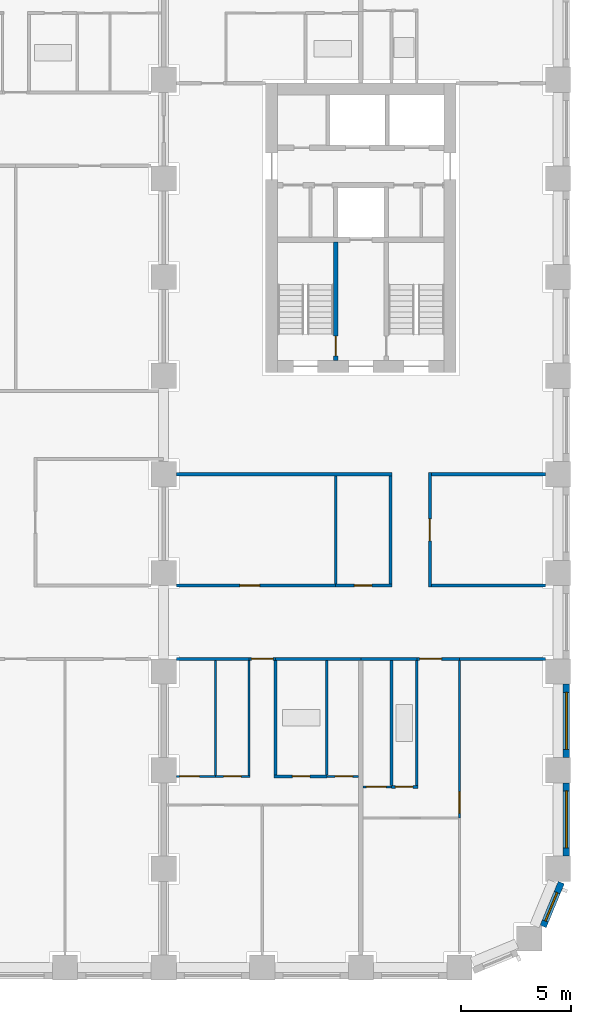
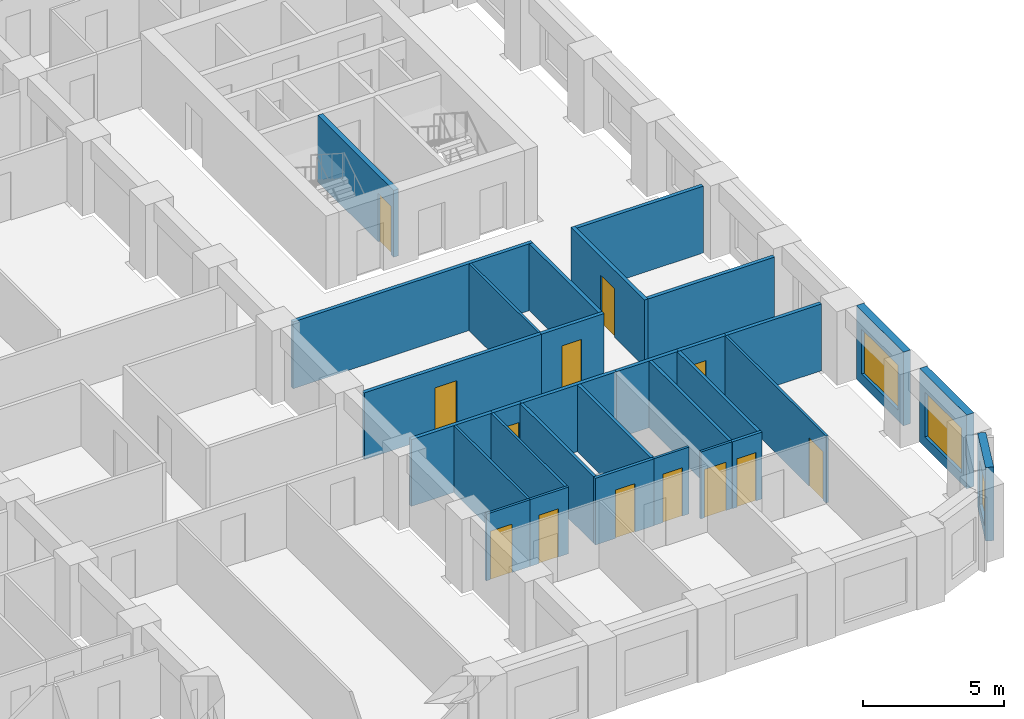
# One storey, part 5 of 13: 31 walls, 13 doors, 3 windows, 16 openings.
"""IFC4 building model written with IfcOpenShell, lengths in metres."""

from ifc_helpers import new_model, si_unit, direction, frame, frame_2d, origin, place, context, subcontext, project, spatial, rectangle, extrude, material, layer, layer_set, type_object, element, fill, save


model = new_model("IFC4")

# Units and contexts
model_context = context("Model", 3, precision=1e-05, world=origin(), true_north=direction((0.0, 1.0)))
body_context = subcontext(model_context, "Body", "Model", "MODEL_VIEW")
ifc_project = project(units=[si_unit("LENGTHUNIT", "METRE"), si_unit("AREAUNIT", "SQUARE_METRE"), si_unit("VOLUMEUNIT", "CUBIC_METRE"), si_unit("PLANEANGLEUNIT", "RADIAN"), si_unit("MASSUNIT", "GRAM", prefix="KILO")], contexts=[model_context])

# Site, building, storey
site_placement = place(None, origin())
site = spatial("IfcSite", under=ifc_project, at=site_placement, CompositionType="ELEMENT")
building_placement = place(site_placement, origin())
building = spatial("IfcBuilding", under=site, at=building_placement, Name="Girih Gate Residences", CompositionType="ELEMENT")
storey_placement = place(building_placement, frame((0.0, 0.0, 80.0)))
storey = spatial("IfcBuildingStorey", under=building, at=storey_placement, Name="L21", CompositionType="ELEMENT", Elevation=80.0)

# Wall, opening, door
ifc_material_1 = material(Name="Gypsum board on steel studs", Category="steel")
ifc_layer_1 = layer(ifc_material_1, 0.14990234375)
ifc_layer_set_1 = layer_set([ifc_layer_1], Name="Compartment wall 150 mm")
wall_type_1 = type_object("IfcWallType", Name="Compartment wall 150 mm", PredefinedType="PARTITIONING", material=ifc_layer_set_1)
wall_1_placement = place(storey_placement, frame((45.0, 14.074951171875, 0.0), z_axis=(0.0, 0.0, 1.0), x_axis=(-1.0, 0.0, 0.0)))
wall_1 = element("IfcWall", 1, at=wall_1_placement, inside=storey, type_object=wall_type_1, Name="L21 partition", PredefinedType="PARTITIONING", context=body_context, shape_type="SweptSolid", body=[
    extrude(rectangle(XDim=1.949951171875, YDim=0.14990234375, at=frame_2d((0.97509765625, 0.0))), origin(), (0.0, 0.0, 1.0), 2.89990234375),
])
opening_1_placement = place(wall_1_placement, frame((0.820068359375, 0.0, 0.0)))
opening_1 = element("IfcOpeningElement", 2, at=opening_1_placement, cuts=wall_1, Name="Opening A21-022", PredefinedType="OPENING", context=body_context, shape_type="SweptSolid", body=[
    extrude(rectangle(XDim=1.0, YDim=2.10009765625, at=frame_2d((0.5, 1.050048828125))), frame((0.0, 0.0849609375, 0.0), z_axis=(0.0, -1.0, 0.0), x_axis=(1.0, 0.0, 0.0)), (0.0, 0.0, 1.0), 0.169921875),
])
ifc_material_2 = material(Name="Timber, fire-rated core", Category="wood")
door_type_1 = type_object("IfcDoorType", Name="Flat entrance door 1000x2100 FD30S", OperationType="NOTDEFINED", PredefinedType="DOOR", material=ifc_material_2)
door_1_placement = place(opening_1_placement, origin())
door_1 = element("IfcDoor", 3, at=door_1_placement, inside=storey, type_object=door_type_1, Name="Door A21-022", OperationType="SINGLE_SWING_RIGHT", OverallHeight=2.10009765625, OverallWidth=1.0, PredefinedType="DOOR", context=body_context, shape_type="SweptSolid", body=[
    extrude(rectangle(XDim=1.0, YDim=2.10009765625, at=frame_2d((0.5, 1.050048828125))), frame((0.0, 0.02490234375, 0.0), z_axis=(0.0, -1.0, 0.0), x_axis=(1.0, 0.0, 0.0)), (0.0, 0.0, 1.0), 0.050048828125),
])
fill(opening_1, door_1)

# Walls
wall_2_placement = place(storey_placement, frame((40.5, 14.074951171875, 0.0), z_axis=(0.0, 0.0, 1.0), x_axis=(1.0, 0.0, 0.0)))
element("IfcWall", 4, at=wall_2_placement, inside=storey, type_object=wall_type_1, Name="L21 partition", PredefinedType="PARTITIONING", context=body_context, shape_type="SweptSolid", body=[
    extrude(rectangle(XDim=2.550048828125, YDim=0.14990234375, at=frame_2d((1.27490234375, 0.0))), origin(), (0.0, 0.0, 1.0), 2.89990234375),
])
wall_3_placement = place(storey_placement, frame((45.0, 14.074951171875, 0.0), z_axis=(0.0, 0.0, 1.0), x_axis=(1.0, 0.0, 0.0)))
element("IfcWall", 5, at=wall_3_placement, inside=storey, type_object=wall_type_1, Name="L21 partition", PredefinedType="PARTITIONING", context=body_context, shape_type="SweptSolid", body=[
    extrude(rectangle(XDim=3.925048828125, YDim=0.14990234375, at=frame_2d((1.96240234375, 0.0))), origin(), (0.0, 0.0, 1.0), 2.89990234375),
])
wall_4_placement = place(storey_placement, frame((36.60009765625, 14.074951171875, 0.0), z_axis=(0.0, 0.0, 1.0), x_axis=(1.0, 0.0, 0.0)))
element("IfcWall", 6, at=wall_4_placement, inside=storey, type_object=wall_type_1, Name="L21 partition", PredefinedType="PARTITIONING", context=body_context, shape_type="SweptSolid", body=[
    extrude(rectangle(XDim=3.89990234375, YDim=0.14990234375, at=frame_2d((1.949951171875, 0.0))), origin(), (0.0, 0.0, 1.0), 2.89990234375),
])

# Wall, opening, door
wall_5_placement = place(storey_placement, frame((36.60009765625, 14.074951171875, 0.0), z_axis=(0.0, 0.0, 1.0), x_axis=(-1.0, 0.0, 0.0)))
wall_5 = element("IfcWall", 7, at=wall_5_placement, inside=storey, type_object=wall_type_1, Name="L21 partition", PredefinedType="PARTITIONING", context=body_context, shape_type="SweptSolid", body=[
    extrude(rectangle(XDim=1.2001953125, YDim=0.14990234375, at=frame_2d((0.60009765625, 0.0))), origin(), (0.0, 0.0, 1.0), 2.89990234375),
])
opening_2_placement = place(wall_5_placement, frame((0.10009765625, 0.0, 0.0)))
opening_2 = element("IfcOpeningElement", 8, at=opening_2_placement, cuts=wall_5, Name="Opening A21-029", PredefinedType="OPENING", context=body_context, shape_type="SweptSolid", body=[
    extrude(rectangle(XDim=1.0, YDim=2.10009765625, at=frame_2d((0.5, 1.050048828125))), frame((0.0, 0.0849609375, 0.0), z_axis=(0.0, -1.0, 0.0), x_axis=(1.0, 0.0, 0.0)), (0.0, 0.0, 1.0), 0.169921875),
])
door_2_placement = place(opening_2_placement, origin())
door_2 = element("IfcDoor", 9, at=door_2_placement, inside=storey, type_object=door_type_1, Name="Door A21-029", OperationType="SINGLE_SWING_RIGHT", OverallHeight=2.10009765625, OverallWidth=1.0, PredefinedType="DOOR", context=body_context, shape_type="SweptSolid", body=[
    extrude(rectangle(XDim=1.0, YDim=2.10009765625, at=frame_2d((0.5, 1.050048828125))), frame((0.0, 0.02490234375, 0.0), z_axis=(0.0, -1.0, 0.0), x_axis=(1.0, 0.0, 0.0)), (0.0, 0.0, 1.0), 0.050048828125),
])
fill(opening_2, door_2)

# Wall
wall_6_placement = place(storey_placement, frame((32.074951171875, 14.074951171875, 0.0), z_axis=(0.0, 0.0, 1.0), x_axis=(1.0, 0.0, 0.0)))
element("IfcWall", 10, at=wall_6_placement, inside=storey, type_object=wall_type_1, Name="L21 partition", PredefinedType="PARTITIONING", context=body_context, shape_type="SweptSolid", body=[
    extrude(rectangle(XDim=3.324951171875, YDim=0.14990234375, at=frame_2d((1.66259765625, 0.0))), origin(), (0.0, 0.0, 1.0), 2.89990234375),
])

# Wall, opening, door
wall_7_placement = place(storey_placement, frame((32.074951171875, 17.425048828125, 0.0), z_axis=(0.0, 0.0, 1.0), x_axis=(1.0, 0.0, 0.0)))
wall_7 = element("IfcWall", 11, at=wall_7_placement, inside=storey, type_object=wall_type_1, Name="L21 partition", PredefinedType="PARTITIONING", context=body_context, shape_type="SweptSolid", body=[
    extrude(rectangle(XDim=7.275146484375, YDim=0.14990234375, at=frame_2d((3.6376953125, 0.0))), origin(), (0.0, 0.0, 1.0), 2.89990234375),
])
opening_3_placement = place(wall_7_placement, frame((2.89990234375, 0.0, 0.0)))
opening_3 = element("IfcOpeningElement", 12, at=opening_3_placement, cuts=wall_7, Name="Opening A21-058", PredefinedType="OPENING", context=body_context, shape_type="SweptSolid", body=[
    extrude(rectangle(XDim=0.89990234375, YDim=2.10009765625, at=frame_2d((0.449951171875, 1.050048828125))), frame((0.0, 0.0849609375, 0.0), z_axis=(0.0, -1.0, 0.0), x_axis=(1.0, 0.0, 0.0)), (0.0, 0.0, 1.0), 0.169921875),
])
ifc_material_3 = material(Name="Timber", Category="wood")
door_type_2 = type_object("IfcDoorType", Name="Service room door 900x2100", OperationType="NOTDEFINED", PredefinedType="DOOR", material=ifc_material_3)
door_3_placement = place(opening_3_placement, origin())
door_3 = element("IfcDoor", 13, at=door_3_placement, inside=storey, type_object=door_type_2, Name="Door A21-058", OperationType="SINGLE_SWING_LEFT", OverallHeight=2.10009765625, OverallWidth=0.89990234375, PredefinedType="DOOR", context=body_context, shape_type="SweptSolid", body=[
    extrude(rectangle(XDim=0.89990234375, YDim=2.10009765625, at=frame_2d((0.449951171875, 1.050048828125))), frame((0.0, 0.02490234375, 0.0), z_axis=(0.0, -1.0, 0.0), x_axis=(1.0, 0.0, 0.0)), (0.0, 0.0, 1.0), 0.050048828125),
])
fill(opening_3, door_3)

wall_8_placement = place(storey_placement, frame((39.35009765625, 17.425048828125, 0.0), z_axis=(0.0, 0.0, 1.0), x_axis=(1.0, 0.0, 0.0)))
wall_8 = element("IfcWall", 14, at=wall_8_placement, inside=storey, type_object=wall_type_1, Name="L21 partition", PredefinedType="PARTITIONING", context=body_context, shape_type="SweptSolid", body=[
    extrude(rectangle(XDim=2.574951171875, YDim=0.14990234375, at=frame_2d((1.28759765625, 0.0))), origin(), (0.0, 0.0, 1.0), 2.89990234375),
])
opening_4_placement = place(wall_8_placement, frame((0.85009765625, 0.0, 0.0)))
opening_4 = element("IfcOpeningElement", 15, at=opening_4_placement, cuts=wall_8, Name="Opening A21-060", PredefinedType="OPENING", context=body_context, shape_type="SweptSolid", body=[
    extrude(rectangle(XDim=0.800048828125, YDim=2.10009765625, at=frame_2d((0.39990234375, 1.050048828125))), frame((0.0, 0.0849609375, 0.0), z_axis=(0.0, -1.0, 0.0), x_axis=(1.0, 0.0, 0.0)), (0.0, 0.0, 1.0), 0.169921875),
])
door_type_3 = type_object("IfcDoorType", Name="Bathroom door 800x2100", OperationType="NOTDEFINED", PredefinedType="DOOR", material=ifc_material_3)
door_4_placement = place(opening_4_placement, origin())
door_4 = element("IfcDoor", 16, at=door_4_placement, inside=storey, type_object=door_type_3, Name="Door A21-060", OperationType="SINGLE_SWING_LEFT", OverallHeight=2.10009765625, OverallWidth=0.800048828125, PredefinedType="DOOR", context=body_context, shape_type="SweptSolid", body=[
    extrude(rectangle(XDim=0.800048828125, YDim=2.10009765625, at=frame_2d((0.39990234375, 1.050048828125))), frame((0.0, 0.02490234375, 0.0), z_axis=(0.0, -1.0, 0.0), x_axis=(1.0, 0.0, 0.0)), (0.0, 0.0, 1.0), 0.050048828125),
])
fill(opening_4, door_4)

# Walls
wall_9_placement = place(storey_placement, frame((43.72509765625, 17.425048828125, 0.0), z_axis=(0.0, 0.0, 1.0), x_axis=(1.0, 0.0, 0.0)))
element("IfcWall", 17, at=wall_9_placement, inside=storey, type_object=wall_type_1, Name="L21 partition", PredefinedType="PARTITIONING", context=body_context, shape_type="SweptSolid", body=[
    extrude(rectangle(XDim=5.199951171875, YDim=0.14990234375, at=frame_2d((2.60009765625, 0.0))), origin(), (0.0, 0.0, 1.0), 2.89990234375),
])
wall_10_placement = place(storey_placement, frame((32.074951171875, 22.5, 0.0), z_axis=(0.0, 0.0, 1.0), x_axis=(1.0, 0.0, 0.0)))
element("IfcWall", 18, at=wall_10_placement, inside=storey, type_object=wall_type_1, Name="L21 partition", PredefinedType="PARTITIONING", context=body_context, shape_type="SweptSolid", body=[
    extrude(rectangle(XDim=9.85009765625, YDim=0.14990234375, at=frame_2d((4.925048828125, 0.0))), origin(), (0.0, 0.0, 1.0), 2.89990234375),
])
wall_11_placement = place(storey_placement, frame((43.72509765625, 22.5, 0.0), z_axis=(0.0, 0.0, 1.0), x_axis=(1.0, 0.0, 0.0)))
element("IfcWall", 19, at=wall_11_placement, inside=storey, type_object=wall_type_1, Name="L21 partition", PredefinedType="PARTITIONING", context=body_context, shape_type="SweptSolid", body=[
    extrude(rectangle(XDim=5.199951171875, YDim=0.14990234375, at=frame_2d((2.60009765625, 0.0))), origin(), (0.0, 0.0, 1.0), 2.89990234375),
])
wall_12_placement = place(storey_placement, frame((41.85009765625, 17.5, 0.0), z_axis=(0.0, 0.0, 1.0), x_axis=(0.0, 1.0, 0.0)))
element("IfcWall", 20, at=wall_12_placement, inside=storey, type_object=wall_type_1, Name="L21 partition", PredefinedType="PARTITIONING", context=body_context, shape_type="SweptSolid", body=[
    extrude(rectangle(XDim=4.925048828125, YDim=0.14990234375, at=frame_2d((2.46240234375, 0.0))), origin(), (0.0, 0.0, 1.0), 2.89990234375),
])

# Wall, opening, door
wall_13_placement = place(storey_placement, frame((43.64990234375, 22.574951171875, 0.0), z_axis=(0.0, 0.0, 1.0), x_axis=(0.0, -1.0, 0.0)))
wall_13 = element("IfcWall", 21, at=wall_13_placement, inside=storey, type_object=wall_type_1, Name="L21 partition", PredefinedType="PARTITIONING", context=body_context, shape_type="SweptSolid", body=[
    extrude(rectangle(XDim=5.224853515625, YDim=0.14990234375, at=frame_2d((2.6123046875, 0.0))), origin(), (0.0, 0.0, 1.0), 2.89990234375),
])
opening_5_placement = place(wall_13_placement, frame((2.112548828125, 0.0, 0.0)))
opening_5 = element("IfcOpeningElement", 22, at=opening_5_placement, cuts=wall_13, Name="Opening A21-062", PredefinedType="OPENING", context=body_context, shape_type="SweptSolid", body=[
    extrude(rectangle(XDim=1.0, YDim=2.10009765625, at=frame_2d((0.5, 1.050048828125))), frame((0.0, 0.0849609375, 0.0), z_axis=(0.0, -1.0, 0.0), x_axis=(1.0, 0.0, 0.0)), (0.0, 0.0, 1.0), 0.169921875),
])
door_type_4 = type_object("IfcDoorType", Name="Amenity room door 1000x2100 FD30S", OperationType="NOTDEFINED", PredefinedType="DOOR", material=ifc_material_2)
door_5_placement = place(opening_5_placement, origin())
door_5 = element("IfcDoor", 23, at=door_5_placement, inside=storey, type_object=door_type_4, Name="Door A21-062", OperationType="SINGLE_SWING_RIGHT", OverallHeight=2.10009765625, OverallWidth=1.0, PredefinedType="DOOR", context=body_context, shape_type="SweptSolid", body=[
    extrude(rectangle(XDim=1.0, YDim=2.10009765625, at=frame_2d((0.5, 1.050048828125))), frame((0.0, 0.02490234375, 0.0), z_axis=(0.0, -1.0, 0.0), x_axis=(1.0, 0.0, 0.0)), (0.0, 0.0, 1.0), 0.050048828125),
])
fill(opening_5, door_5)

ifc_layer_2 = layer(ifc_material_1, 0.10009765625)
ifc_layer_set_2 = layer_set([ifc_layer_2], Name="Partition 100 mm")
wall_type_2 = type_object("IfcWallType", Name="Partition 100 mm", PredefinedType="PARTITIONING", material=ifc_layer_set_2)
wall_14_placement = place(storey_placement, frame((40.60009765625, 8.235107421875, 0.0), z_axis=(0.0, 0.0, 1.0), x_axis=(1.0, 0.0, 0.0)))
wall_14 = element("IfcWall", 24, at=wall_14_placement, inside=storey, type_object=wall_type_2, Name="L21 partition", PredefinedType="PARTITIONING", context=body_context, shape_type="SweptSolid", body=[
    extrude(rectangle(XDim=1.290771484375, YDim=0.10009765625, at=frame_2d((0.6455078125, 0.0))), origin(), (0.0, 0.0, 1.0), 2.89990234375),
])
opening_6_placement = place(wall_14_placement, frame((0.1455078125, 0.0, 0.0)))
opening_6 = element("IfcOpeningElement", 25, at=opening_6_placement, cuts=wall_14, Name="Opening A21-020", PredefinedType="OPENING", context=body_context, shape_type="SweptSolid", body=[
    extrude(rectangle(XDim=0.89990234375, YDim=2.10009765625, at=frame_2d((0.449951171875, 1.050048828125))), frame((0.0, 0.06005859375, 0.0), z_axis=(0.0, -1.0, 0.0), x_axis=(1.0, 0.0, 0.0)), (0.0, 0.0, 1.0), 0.1201171875),
])
door_type_5 = type_object("IfcDoorType", Name="Kitchen door 900x2100", OperationType="NOTDEFINED", PredefinedType="DOOR", material=ifc_material_3)
door_6_placement = place(opening_6_placement, origin())
door_6 = element("IfcDoor", 26, at=door_6_placement, inside=storey, type_object=door_type_5, Name="Door A21-020", OperationType="SINGLE_SWING_LEFT", OverallHeight=2.10009765625, OverallWidth=0.89990234375, PredefinedType="DOOR", context=body_context, shape_type="SweptSolid", body=[
    extrude(rectangle(XDim=0.89990234375, YDim=2.10009765625, at=frame_2d((0.449951171875, 1.050048828125))), frame((0.0, 0.02490234375, 0.0), z_axis=(0.0, -1.0, 0.0), x_axis=(1.0, 0.0, 0.0)), (0.0, 0.0, 1.0), 0.050048828125),
])
fill(opening_6, door_6)

wall_15_placement = place(storey_placement, frame((45.0, 14.0, 0.0), z_axis=(0.0, 0.0, 1.0), x_axis=(0.0, -1.0, 0.0)))
wall_15 = element("IfcWall", 27, at=wall_15_placement, inside=storey, type_object=wall_type_2, Name="L21 partition", PredefinedType="PARTITIONING", context=body_context, shape_type="SweptSolid", body=[
    extrude(rectangle(XDim=7.18505859375, YDim=0.10009765625, at=frame_2d((3.592529296875, 0.0))), origin(), (0.0, 0.0, 1.0), 2.89990234375),
])
opening_7_placement = place(wall_15_placement, frame((5.97509765625, 0.0, 0.0)))
opening_7 = element("IfcOpeningElement", 28, at=opening_7_placement, cuts=wall_15, Name="Opening A21-021", PredefinedType="OPENING", context=body_context, shape_type="SweptSolid", body=[
    extrude(rectangle(XDim=1.0, YDim=2.10009765625, at=frame_2d((0.5, 1.050048828125))), frame((0.0, 0.06005859375, 0.0), z_axis=(0.0, -1.0, 0.0), x_axis=(1.0, 0.0, 0.0)), (0.0, 0.0, 1.0), 0.1201171875),
])
door_type_6 = type_object("IfcDoorType", Name="Living room door 1000x2100", OperationType="NOTDEFINED", PredefinedType="DOOR", material=ifc_material_3)
door_7_placement = place(opening_7_placement, origin())
door_7 = element("IfcDoor", 29, at=door_7_placement, inside=storey, type_object=door_type_6, Name="Door A21-021", OperationType="SINGLE_SWING_RIGHT", OverallHeight=2.10009765625, OverallWidth=1.0, PredefinedType="DOOR", context=body_context, shape_type="SweptSolid", body=[
    extrude(rectangle(XDim=1.0, YDim=2.10009765625, at=frame_2d((0.5, 1.050048828125))), frame((0.0, 0.02490234375, 0.0), z_axis=(0.0, -1.0, 0.0), x_axis=(1.0, 0.0, 0.0)), (0.0, 0.0, 1.0), 0.050048828125),
])
fill(opening_7, door_7)

wall_16_placement = place(storey_placement, frame((32.074951171875, 8.715087890625, 0.0), z_axis=(0.0, 0.0, 1.0), x_axis=(1.0, 0.0, 0.0)))
wall_16 = element("IfcWall", 30, at=wall_16_placement, inside=storey, type_object=wall_type_2, Name="L21 partition", PredefinedType="PARTITIONING", context=body_context, shape_type="SweptSolid", body=[
    extrude(rectangle(XDim=1.78955078125, YDim=0.10009765625, at=frame_2d((0.894775390625, 0.0))), origin(), (0.0, 0.0, 1.0), 2.89990234375),
])
opening_8_placement = place(wall_16_placement, frame((0.1572265625, 0.0, 0.0)))
opening_8 = element("IfcOpeningElement", 31, at=opening_8_placement, cuts=wall_16, Name="Opening A21-025", PredefinedType="OPENING", context=body_context, shape_type="SweptSolid", body=[
    extrude(rectangle(XDim=0.89990234375, YDim=2.10009765625, at=frame_2d((0.449951171875, 1.050048828125))), frame((0.0, 0.06005859375, 0.0), z_axis=(0.0, -1.0, 0.0), x_axis=(1.0, 0.0, 0.0)), (0.0, 0.0, 1.0), 0.1201171875),
])
door_8_placement = place(opening_8_placement, origin())
door_8 = element("IfcDoor", 32, at=door_8_placement, inside=storey, type_object=door_type_5, Name="Door A21-025", OperationType="SINGLE_SWING_LEFT", OverallHeight=2.10009765625, OverallWidth=0.89990234375, PredefinedType="DOOR", context=body_context, shape_type="SweptSolid", body=[
    extrude(rectangle(XDim=0.89990234375, YDim=2.10009765625, at=frame_2d((0.449951171875, 1.050048828125))), frame((0.0, 0.02490234375, 0.0), z_axis=(0.0, -1.0, 0.0), x_axis=(1.0, 0.0, 0.0)), (0.0, 0.0, 1.0), 0.050048828125),
])
fill(opening_8, door_8)

wall_17_placement = place(storey_placement, frame((38.946533203125, 8.715087890625, 0.0), z_axis=(0.0, 0.0, 1.0), x_axis=(1.0, 0.0, 0.0)))
wall_17 = element("IfcWall", 33, at=wall_17_placement, inside=storey, type_object=wall_type_2, Name="L21 partition", PredefinedType="PARTITIONING", context=body_context, shape_type="SweptSolid", body=[
    extrude(rectangle(XDim=1.453369140625, YDim=0.10009765625, at=frame_2d((0.7265625, 0.0))), origin(), (0.0, 0.0, 1.0), 2.89990234375),
])
opening_9_placement = place(wall_17_placement, frame((0.376708984375, 0.0, 0.0)))
opening_9 = element("IfcOpeningElement", 34, at=opening_9_placement, cuts=wall_17, Name="Opening A21-027", PredefinedType="OPENING", context=body_context, shape_type="SweptSolid", body=[
    extrude(rectangle(XDim=0.800048828125, YDim=2.10009765625, at=frame_2d((0.39990234375, 1.050048828125))), frame((0.0, 0.06005859375, 0.0), z_axis=(0.0, -1.0, 0.0), x_axis=(1.0, 0.0, 0.0)), (0.0, 0.0, 1.0), 0.1201171875),
])
door_type_7 = type_object("IfcDoorType", Name="Store door 800x2100", OperationType="NOTDEFINED", PredefinedType="DOOR", material=ifc_material_3)
door_9_placement = place(opening_9_placement, origin())
door_9 = element("IfcDoor", 35, at=door_9_placement, inside=storey, type_object=door_type_7, Name="Door A21-027", OperationType="SINGLE_SWING_RIGHT", OverallHeight=2.10009765625, OverallWidth=0.800048828125, PredefinedType="DOOR", context=body_context, shape_type="SweptSolid", body=[
    extrude(rectangle(XDim=0.800048828125, YDim=2.10009765625, at=frame_2d((0.39990234375, 1.050048828125))), frame((0.0, 0.02490234375, 0.0), z_axis=(0.0, -1.0, 0.0), x_axis=(1.0, 0.0, 0.0)), (0.0, 0.0, 1.0), 0.050048828125),
])
fill(opening_9, door_9)

wall_18_placement = place(storey_placement, frame((33.864501953125, 8.715087890625, 0.0), z_axis=(0.0, 0.0, 1.0), x_axis=(1.0, 0.0, 0.0)))
wall_18 = element("IfcWall", 36, at=wall_18_placement, inside=storey, type_object=wall_type_2, Name="L21 partition", PredefinedType="PARTITIONING", context=body_context, shape_type="SweptSolid", body=[
    extrude(rectangle(XDim=1.58544921875, YDim=0.10009765625, at=frame_2d((0.792724609375, 0.0))), origin(), (0.0, 0.0, 1.0), 2.89990234375),
])
opening_10_placement = place(wall_18_placement, frame((0.367919921875, 0.0, 0.0)))
opening_10 = element("IfcOpeningElement", 37, at=opening_10_placement, cuts=wall_18, Name="Opening A21-028", PredefinedType="OPENING", context=body_context, shape_type="SweptSolid", body=[
    extrude(rectangle(XDim=0.800048828125, YDim=2.10009765625, at=frame_2d((0.39990234375, 1.050048828125))), frame((0.0, 0.06005859375, 0.0), z_axis=(0.0, -1.0, 0.0), x_axis=(1.0, 0.0, 0.0)), (0.0, 0.0, 1.0), 0.1201171875),
])
door_10_placement = place(opening_10_placement, origin())
door_10 = element("IfcDoor", 38, at=door_10_placement, inside=storey, type_object=door_type_7, Name="Door A21-028", OperationType="SINGLE_SWING_LEFT", OverallHeight=2.10009765625, OverallWidth=0.800048828125, PredefinedType="DOOR", context=body_context, shape_type="SweptSolid", body=[
    extrude(rectangle(XDim=0.800048828125, YDim=2.10009765625, at=frame_2d((0.39990234375, 1.050048828125))), frame((0.0, 0.02490234375, 0.0), z_axis=(0.0, -1.0, 0.0), x_axis=(1.0, 0.0, 0.0)), (0.0, 0.0, 1.0), 0.050048828125),
])
fill(opening_10, door_10)

# Walls
for number, where, z_axis, x_axis, name in (
    (39, (35.39990234375, 8.764892578125, 0.0), (0.0, 0.0, 1.0), (0.0, 1.0, 0.0), "L21 partition"),
    (40, (33.864013671875, 8.764892578125, 0.0), (0.0, 0.0, 1.0), (0.0, 1.0, 0.0), "L21 partition"),
):
    element("IfcWall", number, at=place(storey_placement, frame(where, z_axis=z_axis, x_axis=x_axis)), inside=storey, type_object=wall_type_2, Name=name, PredefinedType="PARTITIONING", context=body_context, shape_type="SweptSolid", body=[
        extrude(rectangle(XDim=5.235107421875, YDim=0.10009765625, at=frame_2d((2.61767578125, 0.0))), origin(), (0.0, 0.0, 1.0), 2.89990234375),
    ])
wall_19_placement = place(storey_placement, frame((39.35009765625, 17.5, 0.0), z_axis=(0.0, 0.0, 1.0), x_axis=(0.0, 1.0, 0.0)))
element("IfcWall", 41, at=wall_19_placement, inside=storey, type_object=wall_type_2, Name="L21 partition", PredefinedType="PARTITIONING", context=body_context, shape_type="SweptSolid", body=[
    extrude(rectangle(XDim=4.925048828125, YDim=0.10009765625, at=frame_2d((2.46240234375, 0.0))), origin(), (0.0, 0.0, 1.0), 2.89990234375),
])

# Wall, opening, window
ifc_material_4 = material(Name="Precast concrete C50/60", Category="concrete")
ifc_layer_3 = layer(ifc_material_4, 0.080078125, Name="Outer leaf")
ifc_material_5 = material(Name="Rigid PIR insulation")
ifc_layer_4 = layer(ifc_material_5, 0.14990234375, Name="Insulation")
ifc_material_6 = material(Name="Precast concrete C40/50", Category="concrete")
ifc_layer_5 = layer(ifc_material_6, 0.070068359375, Name="Inner leaf")
ifc_layer_set_3 = layer_set([ifc_layer_3, ifc_layer_4, ifc_layer_5], Name="Precast concrete C50/60 external wall 300")
wall_type_3 = type_object("IfcWallType", Name="Precast concrete C50/60 external wall 300", PredefinedType="SOLIDWALL", material=ifc_layer_set_3)
wall_20_placement = place(storey_placement, frame((49.64404296875, 3.86767578125, 0.0), z_axis=(0.0, 0.0, 1.0), x_axis=(-0.382723818695, -0.923862802911, 0.0)))
wall_20 = element("IfcWall", 42, at=wall_20_placement, inside=storey, type_object=wall_type_3, Name="External wall SE0482_0013.0", PredefinedType="SOLIDWALL", context=body_context, shape_type="SweptSolid", body=[
    extrude(rectangle(XDim=2.163818359375, YDim=0.300048828125, at=frame_2d((1.08203125, 0.0))), origin(), (0.0, 0.0, 1.0), 3.199951171875),
])
opening_11_placement = place(wall_20_placement, frame((0.492919921875, 0.0, 0.449951171875)))
opening_11 = element("IfcOpeningElement", 43, at=opening_11_placement, cuts=wall_20, Name="Opening W-2D", PredefinedType="OPENING", context=body_context, shape_type="SweptSolid", body=[
    extrude(rectangle(XDim=1.39990234375, YDim=1.949951171875, at=frame_2d((0.699951171875, 0.97509765625))), frame((0.0, 0.159912109375, 0.0), z_axis=(0.0, -1.0, 0.0), x_axis=(1.0, 0.0, 0.0)), (0.0, 0.0, 1.0), 0.320068359375),
])
ifc_material_7 = material(Name="Double glazing in aluminium frame", Category="aluminium")
window_type_1 = type_object("IfcWindowType", Name="Window W-2D 1400x1950", PartitioningType="SINGLE_PANEL", PredefinedType="WINDOW", material=ifc_material_7)
window_1_placement = place(opening_11_placement, origin())
window_1 = element("IfcWindow", 44, at=window_1_placement, inside=storey, type_object=window_type_1, Name="Window W-2D SE0482_0013.0", OverallHeight=1.949951171875, OverallWidth=1.39990234375, PartitioningType="SINGLE_PANEL", PredefinedType="WINDOW", context=body_context, shape_type="SweptSolid", body=[
    extrude(rectangle(XDim=1.39990234375, YDim=1.949951171875, at=frame_2d((0.699951171875, 0.97509765625))), frame((0.0, 0.030029296875, 0.0), z_axis=(0.0, -1.0, 0.0), x_axis=(1.0, 0.0, 0.0)), (0.0, 0.0, 1.0), 0.06005859375),
])
fill(opening_11, window_1)

wall_21_placement = place(storey_placement, frame((49.875, 8.425048828125, 0.0), z_axis=(0.0, 0.0, 1.0), x_axis=(0.0, -1.0, 0.0)))
wall_21 = element("IfcWall", 45, at=wall_21_placement, inside=storey, type_object=wall_type_3, Name="External wall E0495_0045.0", PredefinedType="SOLIDWALL", context=body_context, shape_type="SweptSolid", body=[
    extrude(rectangle(XDim=3.35009765625, YDim=0.300048828125, at=frame_2d((1.675048828125, 0.0))), origin(), (0.0, 0.0, 1.0), 3.199951171875),
])
opening_12_placement = place(wall_21_placement, frame((0.375, 0.0, 0.449951171875)))
opening_12 = element("IfcOpeningElement", 46, at=opening_12_placement, cuts=wall_21, Name="Opening W-1A", PredefinedType="OPENING", context=body_context, shape_type="SweptSolid", body=[
    extrude(rectangle(XDim=2.60009765625, YDim=1.949951171875, at=frame_2d((1.300048828125, 0.97509765625))), frame((0.0, 0.159912109375, 0.0), z_axis=(0.0, -1.0, 0.0), x_axis=(1.0, 0.0, 0.0)), (0.0, 0.0, 1.0), 0.320068359375),
])
window_type_2 = type_object("IfcWindowType", Name="Window W-1A 2600x1950", PartitioningType="SINGLE_PANEL", PredefinedType="WINDOW", material=ifc_material_7)
window_2_placement = place(opening_12_placement, origin())
window_2 = element("IfcWindow", 47, at=window_2_placement, inside=storey, type_object=window_type_2, Name="Window W-1A E0495_0045.0", OverallHeight=1.949951171875, OverallWidth=2.60009765625, PartitioningType="SINGLE_PANEL", PredefinedType="WINDOW", context=body_context, shape_type="SweptSolid", body=[
    extrude(rectangle(XDim=2.60009765625, YDim=1.949951171875, at=frame_2d((1.300048828125, 0.97509765625))), frame((0.0, 0.030029296875, 0.0), z_axis=(0.0, -1.0, 0.0), x_axis=(1.0, 0.0, 0.0)), (0.0, 0.0, 1.0), 0.06005859375),
])
fill(opening_12, window_2)

wall_22_placement = place(storey_placement, frame((49.875, 12.925048828125, 0.0), z_axis=(0.0, 0.0, 1.0), x_axis=(0.0, -1.0, 0.0)))
wall_22 = element("IfcWall", 48, at=wall_22_placement, inside=storey, type_object=wall_type_3, Name="External wall E0495_0045.1", PredefinedType="SOLIDWALL", context=body_context, shape_type="SweptSolid", body=[
    extrude(rectangle(XDim=3.35009765625, YDim=0.300048828125, at=frame_2d((1.675048828125, 0.0))), origin(), (0.0, 0.0, 1.0), 3.199951171875),
])
opening_13_placement = place(wall_22_placement, frame((0.375, 0.0, 0.449951171875)))
opening_13 = element("IfcOpeningElement", 49, at=opening_13_placement, cuts=wall_22, Name="Opening W-1A", PredefinedType="OPENING", context=body_context, shape_type="SweptSolid", body=[
    extrude(rectangle(XDim=2.60009765625, YDim=1.949951171875, at=frame_2d((1.300048828125, 0.97509765625))), frame((0.0, 0.159912109375, 0.0), z_axis=(0.0, -1.0, 0.0), x_axis=(1.0, 0.0, 0.0)), (0.0, 0.0, 1.0), 0.320068359375),
])
window_3_placement = place(opening_13_placement, origin())
window_3 = element("IfcWindow", 50, at=window_3_placement, inside=storey, type_object=window_type_2, Name="Window W-1A E0495_0045.1", OverallHeight=1.949951171875, OverallWidth=2.60009765625, PartitioningType="SINGLE_PANEL", PredefinedType="WINDOW", context=body_context, shape_type="SweptSolid", body=[
    extrude(rectangle(XDim=2.60009765625, YDim=1.949951171875, at=frame_2d((1.300048828125, 0.97509765625))), frame((0.0, 0.030029296875, 0.0), z_axis=(0.0, -1.0, 0.0), x_axis=(1.0, 0.0, 0.0)), (0.0, 0.0, 1.0), 0.06005859375),
])
fill(opening_13, window_3)

# Wall, opening, door
ifc_material_8 = material(Name="Concrete C40/50", Category="concrete")
ifc_layer_6 = layer(ifc_material_8, 0.199951171875)
ifc_layer_set_4 = layer_set([ifc_layer_6], Name="Shaft wall 200")
wall_type_4 = type_object("IfcWallType", Name="Shaft wall 200", PredefinedType="SOLIDWALL", material=ifc_layer_set_4)
wall_23_placement = place(storey_placement, frame((39.35009765625, 27.699951171875, 0.0), z_axis=(0.0, 0.0, 1.0), x_axis=(0.0, 1.0, 0.0)))
wall_23 = element("IfcWall", 51, at=wall_23_placement, inside=storey, type_object=wall_type_4, Name="L21 E core wall V2a", PredefinedType="SOLIDWALL", context=body_context, shape_type="SweptSolid", body=[
    extrude(rectangle(XDim=5.400146484375, YDim=0.199951171875, at=frame_2d((2.7001953125, 0.0))), origin(), (0.0, 0.0, 1.0), 2.89990234375),
])
opening_14_placement = place(wall_23_placement, frame((0.199951171875, 0.0, 0.0)))
opening_14 = element("IfcOpeningElement", 52, at=opening_14_placement, cuts=wall_23, Name="Opening D-L21-E-002", PredefinedType="OPENING", context=body_context, shape_type="SweptSolid", body=[
    extrude(rectangle(XDim=0.89990234375, YDim=2.10009765625, at=frame_2d((0.449951171875, 1.050048828125))), frame((0.0, 0.10986328125, 0.0), z_axis=(0.0, -1.0, 0.0), x_axis=(1.0, 0.0, 0.0)), (0.0, 0.0, 1.0), 0.219970703125),
])
ifc_material_9 = material(Name="Painted steel, fire-resisting", Category="steel")
door_type_8 = type_object("IfcDoorType", Name="Fire door 900x2100", OperationType="SINGLE_SWING_LEFT", PredefinedType="DOOR", material=ifc_material_9)
door_11_placement = place(opening_14_placement, origin())
door_11 = element("IfcDoor", 53, at=door_11_placement, inside=storey, type_object=door_type_8, Name="L21 E door stair 2 to firefighting lobby", OperationType="SINGLE_SWING_LEFT", OverallHeight=2.10009765625, OverallWidth=0.89990234375, PredefinedType="DOOR", context=body_context, shape_type="SweptSolid", body=[
    extrude(rectangle(XDim=0.89990234375, YDim=2.10009765625, at=frame_2d((0.449951171875, 1.050048828125))), frame((0.0, 0.02490234375, 0.0), z_axis=(0.0, -1.0, 0.0), x_axis=(1.0, 0.0, 0.0)), (0.0, 0.0, 1.0), 0.050048828125),
])
fill(opening_14, door_11)

# Wall
ifc_layer_7 = layer(ifc_material_1, 0.125)
ifc_layer_set_5 = layer_set([ifc_layer_7], Name="Wet room wall 125 mm")
wall_type_5 = type_object("IfcWallType", Name="Wet room wall 125 mm", PredefinedType="PARTITIONING", material=ifc_layer_set_5)
wall_24_placement = place(storey_placement, frame((43.050048828125, 8.297607421875, 0.0), z_axis=(0.0, 0.0, 1.0), x_axis=(0.0, 1.0, 0.0)))
element("IfcWall", 54, at=wall_24_placement, inside=storey, type_object=wall_type_5, Name="L21 partition", PredefinedType="PARTITIONING", context=body_context, shape_type="SweptSolid", body=[
    extrude(rectangle(XDim=5.702392578125, YDim=0.125, at=frame_2d((2.85107421875, 0.0))), origin(), (0.0, 0.0, 1.0), 2.89990234375),
])

# Wall, opening, door
wall_25_placement = place(storey_placement, frame((41.890869140625, 8.235107421875, 0.0), z_axis=(0.0, 0.0, 1.0), x_axis=(1.0, 0.0, 0.0)))
wall_25 = element("IfcWall", 55, at=wall_25_placement, inside=storey, type_object=wall_type_5, Name="L21 partition", PredefinedType="PARTITIONING", context=body_context, shape_type="SweptSolid", body=[
    extrude(rectangle(XDim=1.2216796875, YDim=0.125, at=frame_2d((0.61083984375, 0.0))), origin(), (0.0, 0.0, 1.0), 2.89990234375),
])
opening_15_placement = place(wall_25_placement, frame((0.179443359375, 0.0, 0.0)))
opening_15 = element("IfcOpeningElement", 56, at=opening_15_placement, cuts=wall_25, Name="Opening A21-018", PredefinedType="OPENING", context=body_context, shape_type="SweptSolid", body=[
    extrude(rectangle(XDim=0.800048828125, YDim=2.10009765625, at=frame_2d((0.39990234375, 1.050048828125))), frame((0.0, 0.072509765625, 0.0), z_axis=(0.0, -1.0, 0.0), x_axis=(1.0, 0.0, 0.0)), (0.0, 0.0, 1.0), 0.14501953125),
])
door_12_placement = place(opening_15_placement, origin())
door_12 = element("IfcDoor", 57, at=door_12_placement, inside=storey, type_object=door_type_3, Name="Door A21-018", OperationType="SINGLE_SWING_LEFT", OverallHeight=2.10009765625, OverallWidth=0.800048828125, PredefinedType="DOOR", context=body_context, shape_type="SweptSolid", body=[
    extrude(rectangle(XDim=0.800048828125, YDim=2.10009765625, at=frame_2d((0.39990234375, 1.050048828125))), frame((0.0, 0.02490234375, 0.0), z_axis=(0.0, -1.0, 0.0), x_axis=(1.0, 0.0, 0.0)), (0.0, 0.0, 1.0), 0.050048828125),
])
fill(opening_15, door_12)

# Wall
wall_26_placement = place(storey_placement, frame((41.89111328125, 8.297607421875, 0.0), z_axis=(0.0, 0.0, 1.0), x_axis=(0.0, 1.0, 0.0)))
element("IfcWall", 58, at=wall_26_placement, inside=storey, type_object=wall_type_5, Name="L21 partition", PredefinedType="PARTITIONING", context=body_context, shape_type="SweptSolid", body=[
    extrude(rectangle(XDim=5.702392578125, YDim=0.125, at=frame_2d((2.85107421875, 0.0))), origin(), (0.0, 0.0, 1.0), 2.89990234375),
])

# Wall, opening, door
wall_27_placement = place(storey_placement, frame((36.53759765625, 8.715087890625, 0.0), z_axis=(0.0, 0.0, 1.0), x_axis=(1.0, 0.0, 0.0)))
wall_27 = element("IfcWall", 59, at=wall_27_placement, inside=storey, type_object=wall_type_5, Name="L21 partition", PredefinedType="PARTITIONING", context=body_context, shape_type="SweptSolid", body=[
    extrude(rectangle(XDim=2.408935546875, YDim=0.125, at=frame_2d((1.20458984375, 0.0))), origin(), (0.0, 0.0, 1.0), 2.89990234375),
])
opening_16_placement = place(wall_27_placement, frame((0.835693359375, 0.0, 0.0)))
opening_16 = element("IfcOpeningElement", 60, at=opening_16_placement, cuts=wall_27, Name="Opening A21-023", PredefinedType="OPENING", context=body_context, shape_type="SweptSolid", body=[
    extrude(rectangle(XDim=0.800048828125, YDim=2.10009765625, at=frame_2d((0.39990234375, 1.050048828125))), frame((0.0, 0.072509765625, 0.0), z_axis=(0.0, -1.0, 0.0), x_axis=(1.0, 0.0, 0.0)), (0.0, 0.0, 1.0), 0.14501953125),
])
door_13_placement = place(opening_16_placement, origin())
door_13 = element("IfcDoor", 61, at=door_13_placement, inside=storey, type_object=door_type_3, Name="Door A21-023", OperationType="SINGLE_SWING_RIGHT", OverallHeight=2.10009765625, OverallWidth=0.800048828125, PredefinedType="DOOR", context=body_context, shape_type="SweptSolid", body=[
    extrude(rectangle(XDim=0.800048828125, YDim=2.10009765625, at=frame_2d((0.39990234375, 1.050048828125))), frame((0.0, 0.02490234375, 0.0), z_axis=(0.0, -1.0, 0.0), x_axis=(1.0, 0.0, 0.0)), (0.0, 0.0, 1.0), 0.050048828125),
])
fill(opening_16, door_13)

# Walls
for number, where, z_axis, x_axis, name in (
    (62, (36.60009765625, 8.777587890625, 0.0), (0.0, 0.0, 1.0), (0.0, 1.0, 0.0), "L21 partition"),
    (63, (38.947021484375, 8.777587890625, 0.0), (0.0, 0.0, 1.0), (0.0, 1.0, 0.0), "L21 partition"),
):
    element("IfcWall", number, at=place(storey_placement, frame(where, z_axis=z_axis, x_axis=x_axis)), inside=storey, type_object=wall_type_5, Name=name, PredefinedType="PARTITIONING", context=body_context, shape_type="SweptSolid", body=[
        extrude(rectangle(XDim=5.222412109375, YDim=0.125, at=frame_2d((2.611328125, 0.0))), origin(), (0.0, 0.0, 1.0), 2.89990234375),
    ])

save(model, "model.ifc")
